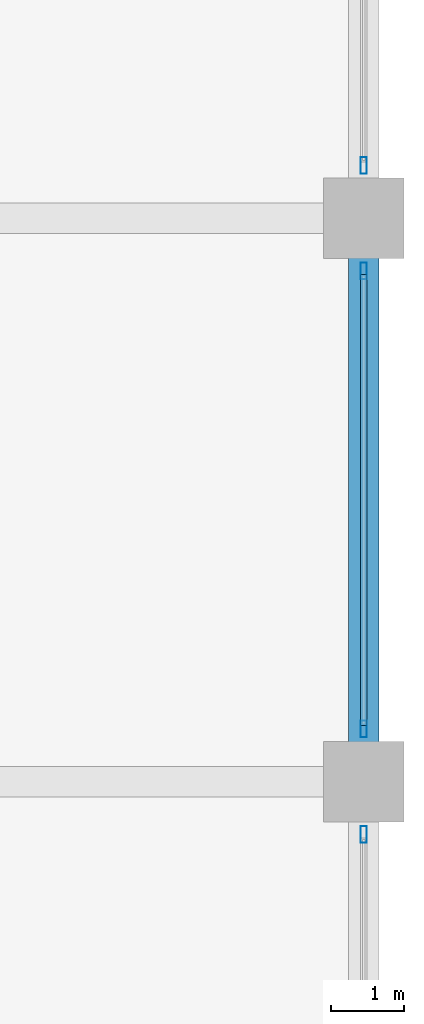
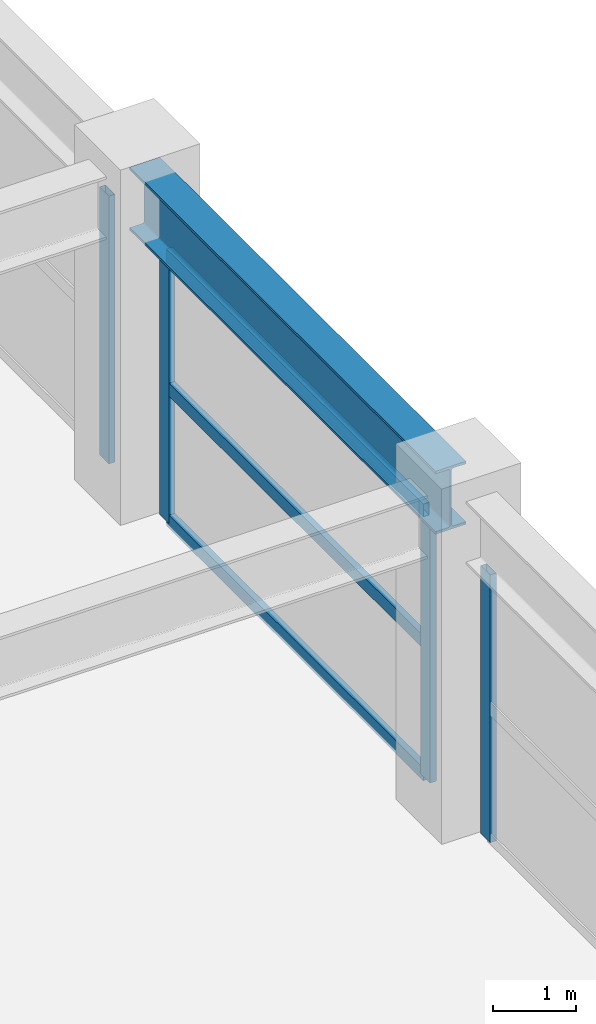
# One storey, part 31 of 45: 7 members, 1 beam, 3 elements without a shape of their own.
"""IFC4 building model written with IfcOpenShell, lengths in metres."""

from ifc_helpers import new_model, si_unit, direction, frame, origin, origin_2d, place, context, subcontext, project, spatial, hollow_rectangle, i_section, extrude, material, material_profile, profile_set, type_object, element, aggregate, save


model = new_model("IFC4")

# Units and contexts
model_context = context("Model", 3, precision=1e-05, world=origin(), true_north=direction((0.0, 1.0)))
body_context = subcontext(model_context, "Body", "Model", "MODEL_VIEW")
ifc_project = project(units=[si_unit("LENGTHUNIT", "METRE"), si_unit("AREAUNIT", "SQUARE_METRE"), si_unit("VOLUMEUNIT", "CUBIC_METRE"), si_unit("PLANEANGLEUNIT", "RADIAN"), si_unit("MASSUNIT", "GRAM", prefix="KILO")], contexts=[model_context])

# Site, building, storey
site_placement = place(None, origin())
site = spatial("IfcSite", under=ifc_project, at=site_placement, CompositionType="ELEMENT")
building_placement = place(site_placement, origin())
building = spatial("IfcBuilding", under=site, at=building_placement, Name="Kovane Verandah Tower", CompositionType="ELEMENT")
storey_placement = place(building_placement, frame((0.0, 0.0, 6.0)))
storey = spatial("IfcBuildingStorey", under=building, at=storey_placement, Name="L01", CompositionType="ELEMENT", Elevation=6.0)

# Beam
ifc_material_1 = material(Name="Steel S460", Category="steel")
ifc_material_profile_1 = material_profile(ifc_material_1, i_section(OverallWidth=0.42041015625, OverallDepth=0.9208984375, WebThickness=0.021484375, FlangeThickness=0.03662109375, FilletRadius=0.024169921875, at=origin_2d()), Name="UB914x419x388")
ifc_profile_set_1 = profile_set([ifc_material_profile_1], Name="Steel S460")
beam_type = type_object("IfcBeamType", Name="BM-UB914x388", PredefinedType="BEAM", material=ifc_profile_set_1)
beam_placement = place(storey_placement, frame((82.0, 36.679931640625, 4.439453125), z_axis=(0.0, 1.0, 0.0), x_axis=(-1.0, 0.0, 0.0)))
element("IfcBeam", 1, at=beam_placement, inside=storey, type_object=beam_type, Name="L01 Podium Grid Girder Y42", PredefinedType="BEAM", context=body_context, shape_type="SweptSolid", body=[
    extrude(i_section(OverallWidth=0.42041015625, OverallDepth=0.9208984375, WebThickness=0.021484375, FlangeThickness=0.03662109375, FilletRadius=0.024169921875, at=origin_2d()), origin(), (0.0, 0.0, 1.0), 7.340087890625),
])

# Curtain wall, member
ifc_material_2 = material(Name="Champagne Anodised Aluminium Frame with Low-E Clear Laminated Glass", Category="aluminium")
curtain_wall_type = type_object("IfcCurtainWallType", Name="CW-SYS-01-POD", PredefinedType="NOTDEFINED", material=ifc_material_2)
curtain_wall_1_placement = place(storey_placement, origin())
curtain_wall_1 = element("IfcCurtainWall", 2, at=curtain_wall_1_placement, inside=storey, type_object=curtain_wall_type, Name="L01 East Podium Curtain Wall Bay 3", PredefinedType="NOTDEFINED")
ifc_material_3 = material(Name="Champagne Anodised Aluminium 6063-T6", Category="aluminium")
ifc_material_profile_2 = material_profile(ifc_material_3, hollow_rectangle(XDim=0.0849609375, YDim=0.22998046875, WallThickness=0.00390625, at=origin_2d()), Name="AL85x230x4")
ifc_profile_set_2 = profile_set([ifc_material_profile_2], Name="Champagne Anodised Aluminium 6063-T6")
member_type_1 = type_object("IfcMemberType", Name="CW-MUL-85x230", PredefinedType="MULLION", material=ifc_profile_set_2)
member_1_placement = place(storey_placement, frame((82.0, 35.780029296875, 0.02001953125), z_axis=(0.0, 0.0, 1.0), x_axis=(1.0, 0.0, 0.0)))
member_1 = element("IfcMember", 3, at=member_1_placement, type_object=member_type_1, Name="L01 East Podium Curtain Wall Bay 3 Mullion 4", PredefinedType="MULLION", context=body_context, shape_type="SweptSolid", body=[
    extrude(hollow_rectangle(XDim=0.0849609375, YDim=0.22998046875, WallThickness=0.00390625, at=origin_2d()), origin(), (0.0, 0.0, 1.0), 3.9189453125),
])
aggregate(curtain_wall_1, [member_1])

# Curtain wall, members
curtain_wall_2_placement = place(storey_placement, origin())
curtain_wall_2 = element("IfcCurtainWall", 4, at=curtain_wall_2_placement, inside=storey, type_object=curtain_wall_type, Name="L01 East Podium Curtain Wall Bay 4", PredefinedType="NOTDEFINED")
member_2_placement = place(storey_placement, frame((82.0, 37.219970703125, 0.02001953125), z_axis=(0.0, 0.0, 1.0), x_axis=(1.0, 0.0, 0.0)))
member_2 = element("IfcMember", 5, at=member_2_placement, type_object=member_type_1, Name="L01 East Podium Curtain Wall Bay 4 Mullion 1", PredefinedType="MULLION", context=body_context, shape_type="SweptSolid", body=[
    extrude(hollow_rectangle(XDim=0.0849609375, YDim=0.22998046875, WallThickness=0.00390625, at=origin_2d()), origin(), (0.0, 0.0, 1.0), 3.9189453125),
])
member_3_placement = place(storey_placement, frame((82.0, 43.47998046875, 0.02001953125), z_axis=(0.0, 0.0, 1.0), x_axis=(1.0, 0.0, 0.0)))
member_3 = element("IfcMember", 6, at=member_3_placement, type_object=member_type_1, Name="L01 East Podium Curtain Wall Bay 4 Mullion 2", PredefinedType="MULLION", context=body_context, shape_type="SweptSolid", body=[
    extrude(hollow_rectangle(XDim=0.0849609375, YDim=0.22998046875, WallThickness=0.00390625, at=origin_2d()), origin(), (0.0, 0.0, 1.0), 3.9189453125),
])

# Curtain wall, member
curtain_wall_3_placement = place(storey_placement, origin())
curtain_wall_3 = element("IfcCurtainWall", 7, at=curtain_wall_3_placement, inside=storey, type_object=curtain_wall_type, Name="L01 East Podium Curtain Wall Bay 5", PredefinedType="NOTDEFINED")
member_4_placement = place(storey_placement, frame((82.0, 44.919921875, 0.02001953125), z_axis=(0.0, 0.0, 1.0), x_axis=(1.0, 0.0, 0.0)))
member_4 = element("IfcMember", 8, at=member_4_placement, type_object=member_type_1, Name="L01 East Podium Curtain Wall Bay 5 Mullion 1", PredefinedType="MULLION", context=body_context, shape_type="SweptSolid", body=[
    extrude(hollow_rectangle(XDim=0.0849609375, YDim=0.22998046875, WallThickness=0.00390625, at=origin_2d()), origin(), (0.0, 0.0, 1.0), 3.9189453125),
])
aggregate(curtain_wall_3, [member_4])

# Member
ifc_material_profile_3 = material_profile(ifc_material_3, hollow_rectangle(XDim=0.0849609375, YDim=0.18994140625, WallThickness=0.00390625, at=origin_2d()), Name="AL85x190x4")
ifc_profile_set_3 = profile_set([ifc_material_profile_3], Name="Champagne Anodised Aluminium 6063-T6")
member_type_2 = type_object("IfcMemberType", Name="CW-TRN-85x190", PredefinedType="USERDEFINED", material=ifc_profile_set_3)
member_5_placement = place(storey_placement, frame((82.0, 37.27001953125, 0.050048828125), z_axis=(0.0, 1.0, 0.0), x_axis=(-1.0, 0.0, 0.0)))
member_5 = element("IfcMember", 9, at=member_5_placement, type_object=member_type_2, Name="L01 East Podium Curtain Wall Bay 4 Transom TB Bay 1", ObjectType="TRANSOM", PredefinedType="USERDEFINED", context=body_context, shape_type="SweptSolid", body=[
    extrude(hollow_rectangle(XDim=0.0849609375, YDim=0.18994140625, WallThickness=0.00390625, at=origin_2d()), origin(), (0.0, 0.0, 1.0), 6.159912109375),
])

member_6_placement = place(storey_placement, frame((82.0, 37.27001953125, 1.9794921875), z_axis=(0.0, 1.0, 0.0), x_axis=(-1.0, 0.0, 0.0)))
member_6 = element("IfcMember", 10, at=member_6_placement, type_object=member_type_2, Name="L01 East Podium Curtain Wall Bay 4 Transom TM Bay 1", ObjectType="TRANSOM", PredefinedType="USERDEFINED", context=body_context, shape_type="SweptSolid", body=[
    extrude(hollow_rectangle(XDim=0.0849609375, YDim=0.18994140625, WallThickness=0.00390625, at=origin_2d()), origin(), (0.0, 0.0, 1.0), 6.159912109375),
])

member_7_placement = place(storey_placement, frame((82.0, 37.27001953125, 3.908935546875), z_axis=(0.0, 1.0, 0.0), x_axis=(-1.0, 0.0, 0.0)))
member_7 = element("IfcMember", 11, at=member_7_placement, type_object=member_type_2, Name="L01 East Podium Curtain Wall Bay 4 Transom TT Bay 1", ObjectType="TRANSOM", PredefinedType="USERDEFINED", context=body_context, shape_type="SweptSolid", body=[
    extrude(hollow_rectangle(XDim=0.0849609375, YDim=0.18994140625, WallThickness=0.00390625, at=origin_2d()), origin(), (0.0, 0.0, 1.0), 6.159912109375),
])

aggregate(curtain_wall_2, [member_2, member_3, member_5, member_6, member_7])

save(model, "model.ifc")
